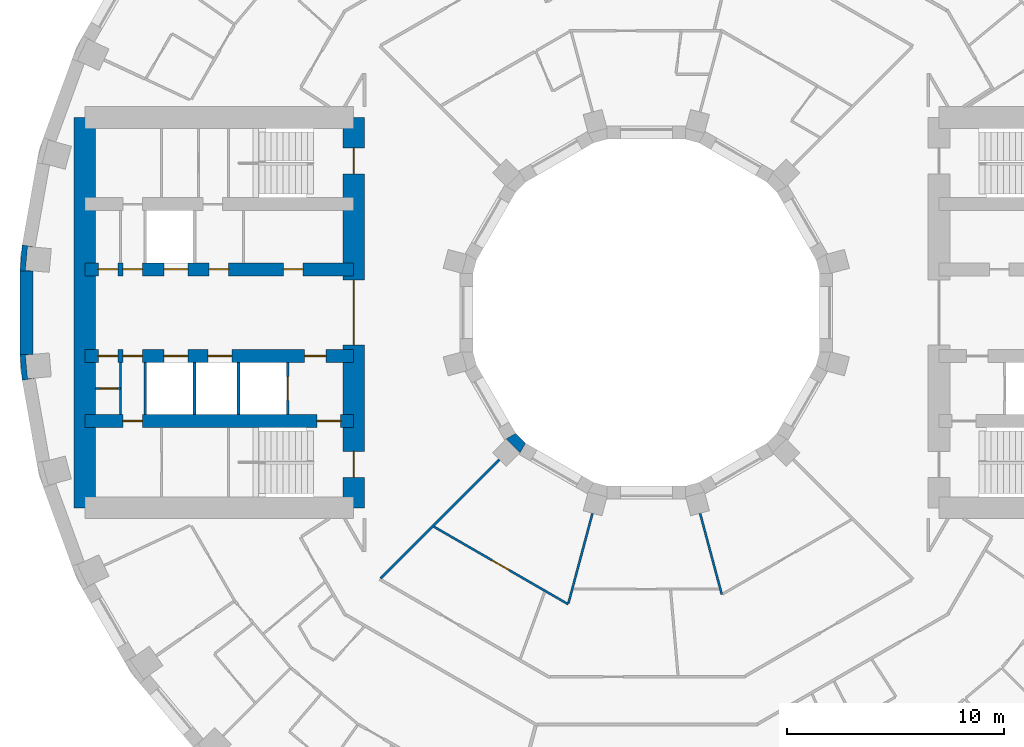
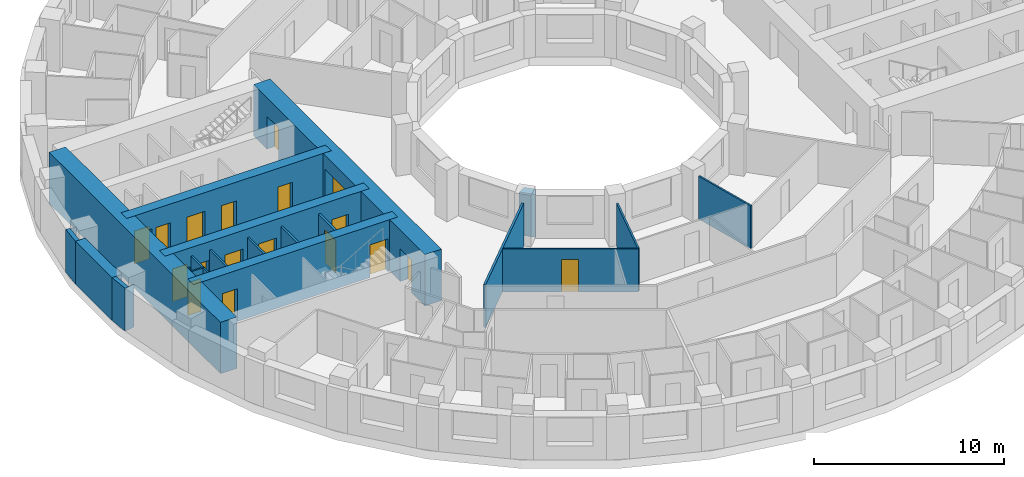
# One storey, part 4 of 14: 19 walls, 18 doors, 18 openings.
"""IFC4 building model written with IfcOpenShell, lengths in metres."""

from ifc_helpers import new_model, si_unit, direction, frame, frame_2d, origin, place, context, subcontext, project, spatial, polyline, rectangle, outline, extrude, material, layer, layer_set, type_object, element, fill, save


model = new_model("IFC4")

# Units and contexts
model_context = context("Model", 3, precision=1e-05, world=origin(), true_north=direction((0.0, 1.0)))
body_context = subcontext(model_context, "Body", "Model", "MODEL_VIEW")
ifc_project = project(units=[si_unit("LENGTHUNIT", "METRE"), si_unit("AREAUNIT", "SQUARE_METRE"), si_unit("VOLUMEUNIT", "CUBIC_METRE"), si_unit("PLANEANGLEUNIT", "RADIAN"), si_unit("MASSUNIT", "GRAM", prefix="KILO")], contexts=[model_context])

# Site, building, storey
site_placement = place(None, origin())
site = spatial("IfcSite", under=ifc_project, at=site_placement, CompositionType="ELEMENT")
building_placement = place(site_placement, origin())
building = spatial("IfcBuilding", under=site, at=building_placement, Name="Saqina Gate Tower", CompositionType="ELEMENT")
storey_placement = place(building_placement, frame((0.0, 0.0, 46.10009765625)))
storey = spatial("IfcBuildingStorey", under=building, at=storey_placement, Name="L12", CompositionType="ELEMENT", Elevation=46.10009765625)

# Walls
ifc_material_1 = material(Name="Brick masonry (red)", Category="masonry")
wall_type_1 = type_object("IfcWallType", Name="BRICK PIER COPING RED", PredefinedType="SOLIDWALL", material=ifc_material_1)
wall_1_placement = place(storey_placement, origin())
element("IfcWall", 1, at=wall_1_placement, inside=storey, type_object=wall_type_1, Name="Pier cap L12 column 18", PredefinedType="SOLIDWALL", context=body_context, shape_type="SweptSolid", body=[
    extrude(outline(polyline([(-28.78466796875, 3.122802734375), (-28.8896484375, 1.9228515625), (-28.28955078125, 1.9228515625), (-28.638671875, 1.95361328125), (-28.54296875, 3.04931640625), (-28.19384765625, 3.018798828125), (-28.78466796875, 3.122802734375)])), origin(), (0.0, 0.0, 1.0), 2.75),
])
wall_2_placement = place(storey_placement, origin())
element("IfcWall", 2, at=wall_2_placement, inside=storey, type_object=wall_type_1, Name="Pier cap L12 column 19", PredefinedType="SOLIDWALL", context=body_context, shape_type="SweptSolid", body=[
    extrude(outline(polyline([(-28.8896484375, -1.9228515625), (-28.78466796875, -3.122802734375), (-28.19384765625, -3.018798828125), (-28.54296875, -3.04931640625), (-28.638671875, -1.95361328125), (-28.28955078125, -1.9228515625), (-28.8896484375, -1.9228515625)])), origin(), (0.0, 0.0, 1.0), 2.75),
])
ifc_material_2 = material(Name="Gypsum board on steel studs", Category="steel")
ifc_layer_1 = layer(ifc_material_2, 0.10009765625)
ifc_layer_set_1 = layer_set([ifc_layer_1], Name="CORE PARTITION")
wall_type_2 = type_object("IfcWallType", Name="CORE PARTITION", PredefinedType="PARTITIONING", material=ifc_layer_set_1)
wall_3_placement = place(storey_placement, frame((-24.260009765625, -4.699951171875, 0.0), z_axis=(0.0, 0.0, 1.0), x_axis=(0.0, 1.0, 0.0)))
element("IfcWall", 3, at=wall_3_placement, inside=storey, type_object=wall_type_2, Name="L12-CP-W09", PredefinedType="PARTITIONING", context=body_context, shape_type="SweptSolid", body=[
    extrude(rectangle(XDim=2.39990234375, YDim=0.10009765625, at=frame_2d((1.199951171875, 0.0))), origin(), (0.0, 0.0, 1.0), 2.75),
])

# Wall, opening, door
wall_4_placement = place(storey_placement, frame((-24.260009765625, -3.5, 0.0), z_axis=(0.0, 0.0, 1.0), x_axis=(-1.0, 0.0, 0.0)))
wall_4 = element("IfcWall", 4, at=wall_4_placement, inside=storey, type_object=wall_type_2, Name="L12-CP-W10", PredefinedType="PARTITIONING", context=body_context, shape_type="SweptSolid", body=[
    extrude(rectangle(XDim=1.139892578125, YDim=0.10009765625, at=frame_2d((0.56982421875, 0.0))), origin(), (0.0, 0.0, 1.0), 2.75),
])
opening_1_placement = place(wall_4_placement, frame((0.14990234375, 0.0, 0.0)))
opening_1 = element("IfcOpeningElement", 5, at=opening_1_placement, cuts=wall_4, Name="Opening G03-D117", PredefinedType="OPENING", context=body_context, shape_type="SweptSolid", body=[
    extrude(rectangle(XDim=0.800048828125, YDim=2.10009765625, at=frame_2d((0.39990234375, 1.050048828125))), frame((0.0, 0.06201171875, 0.0), z_axis=(0.0, -1.0, 0.0), x_axis=(1.0, 0.0, 0.0)), (0.0, 0.0, 1.0), 0.1240234375),
])
ifc_material_3 = material(Name="Steel-framed fire door leaf, EI 60", Category="steel")
door_type_1 = type_object("IfcDoorType", Name="SERVICE ROOM DOOR 800", OperationType="SINGLE_SWING_LEFT", PredefinedType="DOOR", material=ifc_material_3)
door_1_placement = place(opening_1_placement, origin())
door_1 = element("IfcDoor", 6, at=door_1_placement, inside=storey, type_object=door_type_1, Name="L12-CD-W28", OperationType="SINGLE_SWING_RIGHT", OverallHeight=2.10009765625, OverallWidth=0.800048828125, PredefinedType="DOOR", context=body_context, shape_type="SweptSolid", body=[
    extrude(rectangle(XDim=0.800048828125, YDim=2.10009765625, at=frame_2d((0.39990234375, 1.050048828125))), frame((0.0, 0.02490234375, 0.0), z_axis=(0.0, -1.0, 0.0), x_axis=(1.0, 0.0, 0.0)), (0.0, 0.0, 1.0), 0.050048828125),
])
fill(opening_1, door_1)

# Walls
ifc_material_4 = material(Name="Glazed ceramic tile (dark blue)", Category="ceramic")
ifc_layer_2 = layer(ifc_material_4, 0.60009765625)
ifc_layer_set_2 = layer_set([ifc_layer_2], Name="FW-TILE-CB")
wall_type_3 = type_object("IfcWallType", Name="FW-TILE-CB", PredefinedType="SOLIDWALL", material=ifc_layer_set_2)
wall_5_placement = place(storey_placement, frame((-28.589599609375, 1.9228515625, 0.0), z_axis=(0.0, 0.0, 1.0), x_axis=(0.0, -1.0, 0.0)))
element("IfcWall", 7, at=wall_5_placement, inside=storey, type_object=wall_type_3, Name="Facade wall L12 facet 18", PredefinedType="SOLIDWALL", context=body_context, shape_type="SweptSolid", body=[
    extrude(rectangle(XDim=3.845703125, YDim=0.60009765625, at=frame_2d((1.9228515625, 0.0))), origin(), (0.0, 0.0, 1.0), 2.75),
])
ifc_material_5 = material(Name="Gypsum board on steel studs, 100 mm", Category="steel")
ifc_layer_3 = layer(ifc_material_5, 0.10009765625)
ifc_layer_set_3 = layer_set([ifc_layer_3], Name="PARTITION 100")
wall_type_4 = type_object("IfcWallType", Name="PARTITION 100", PredefinedType="PARTITIONING", material=ifc_layer_set_3)
wall_6_placement = place(storey_placement, frame((2.482666015625, -9.265380859375, 0.0), z_axis=(0.0, 0.0, 1.0), x_axis=(0.258711886123, -0.96595453308, 0.0)))
element("IfcWall", 8, at=wall_6_placement, inside=storey, type_object=wall_type_4, Name="PARTITION PW3-09", PredefinedType="PARTITIONING", context=body_context, shape_type="SweptSolid", body=[
    extrude(rectangle(XDim=3.8662109375, YDim=0.10009765625, at=frame_2d((1.93310546875, 0.0))), origin(), (0.0, 0.0, 1.0), 2.75),
])

# Wall, opening, door
wall_7_placement = place(storey_placement, frame((-9.7919921875, -9.877197265625, 0.0), z_axis=(0.0, 0.0, 1.0), x_axis=(0.866018300902, -0.500012302351, 0.0)))
wall_7 = element("IfcWall", 9, at=wall_7_placement, inside=storey, type_object=wall_type_4, Name="PARTITION PW3-47", PredefinedType="PARTITIONING", context=body_context, shape_type="SweptSolid", body=[
    extrude(rectangle(XDim=7.145263671875, YDim=0.10009765625, at=frame_2d((3.57275390625, 0.0))), origin(), (0.0, 0.0, 1.0), 2.75),
])
opening_2_placement = place(wall_7_placement, frame((3.09130859375, 0.0, 0.0)))
opening_2 = element("IfcOpeningElement", 10, at=opening_2_placement, cuts=wall_7, Name="Opening G03-D50", PredefinedType="OPENING", context=body_context, shape_type="SweptSolid", body=[
    extrude(rectangle(XDim=0.89990234375, YDim=2.10009765625, at=frame_2d((0.449951171875, 1.050048828125))), frame((0.0, 0.06201171875, 0.0), z_axis=(0.0, -1.0, 0.0), x_axis=(1.0, 0.0, 0.0)), (0.0, 0.0, 1.0), 0.1240234375),
])
ifc_material_6 = material(Name="Timber door leaf, 900 mm", Category="wood")
door_type_2 = type_object("IfcDoorType", Name="DOOR 900 TIMBER", OperationType="SINGLE_SWING_LEFT", PredefinedType="DOOR", material=ifc_material_6)
door_2_placement = place(opening_2_placement, origin())
door_2 = element("IfcDoor", 11, at=door_2_placement, inside=storey, type_object=door_type_2, Name="DOOR G03-D50", OperationType="SINGLE_SWING_LEFT", OverallHeight=2.10009765625, OverallWidth=0.89990234375, PredefinedType="DOOR", context=body_context, shape_type="SweptSolid", body=[
    extrude(rectangle(XDim=0.89990234375, YDim=2.10009765625, at=frame_2d((0.449951171875, 1.050048828125))), frame((0.0, 0.02490234375, 0.0), z_axis=(0.0, -1.0, 0.0), x_axis=(1.0, 0.0, 0.0)), (0.0, 0.0, 1.0), 0.050048828125),
])
fill(opening_2, door_2)

# Walls
wall_8_placement = place(storey_placement, frame((-3.591064453125, -13.401611328125, 0.0), z_axis=(0.0, 0.0, 1.0), x_axis=(0.258212632103, 0.966088110175, 0.0)))
element("IfcWall", 12, at=wall_8_placement, inside=storey, type_object=wall_type_4, Name="PARTITION PW3-118", PredefinedType="PARTITIONING", context=body_context, shape_type="SweptSolid", body=[
    extrude(rectangle(XDim=4.2822265625, YDim=0.10009765625, at=frame_2d((2.14111328125, 0.0))), origin(), (0.0, 0.0, 1.0), 2.75),
])
ifc_material_7 = material(Name="Gypsum board on steel studs, 125 mm, fire rated", Category="steel")
ifc_layer_4 = layer(ifc_material_7, 0.125)
ifc_layer_set_4 = layer_set([ifc_layer_4], Name="PARTITION EI 30 125")
wall_type_5 = type_object("IfcWallType", Name="PARTITION EI 30 125", PredefinedType="PARTITIONING", material=ifc_layer_set_4)
wall_9_placement = place(storey_placement, frame((-12.25390625, -12.25390625, 0.0), z_axis=(0.0, 0.0, 1.0), x_axis=(0.707106781187, 0.707106781187, 0.0)))
element("IfcWall", 13, at=wall_9_placement, inside=storey, type_object=wall_type_5, Name="PARTITION PW1-47", PredefinedType="PARTITIONING", context=body_context, shape_type="SweptSolid", body=[
    extrude(rectangle(XDim=7.737548828125, YDim=0.125, at=frame_2d((3.86865234375, 0.0))), origin(), (0.0, 0.0, 1.0), 2.75),
])

# Wall, opening, door
ifc_material_8 = material(Name="Autoclaved aerated concrete block", Category="concrete")
ifc_layer_5 = layer(ifc_material_8, 0.1201171875)
ifc_layer_set_5 = layer_set([ifc_layer_5], Name="SHAFT PARTITION")
wall_type_6 = type_object("IfcWallType", Name="SHAFT PARTITION", PredefinedType="PARTITIONING", material=ifc_layer_set_5)
wall_10_placement = place(storey_placement, frame((-16.530029296875, -4.699951171875, 0.0), z_axis=(0.0, 0.0, 1.0), x_axis=(0.0, 1.0, 0.0)))
wall_10 = element("IfcWall", 14, at=wall_10_placement, inside=storey, type_object=wall_type_6, Name="L12-CP-W05", PredefinedType="PARTITIONING", context=body_context, shape_type="SweptSolid", body=[
    extrude(rectangle(XDim=2.39990234375, YDim=0.1201171875, at=frame_2d((1.199951171875, 0.0))), origin(), (0.0, 0.0, 1.0), 2.75),
])
opening_3_placement = place(wall_10_placement, frame((0.64990234375, 0.0, 0.0)))
opening_3 = element("IfcOpeningElement", 15, at=opening_3_placement, cuts=wall_10, Name="Opening G03-LD6", PredefinedType="OPENING", context=body_context, shape_type="SweptSolid", body=[
    extrude(rectangle(XDim=1.10009765625, YDim=2.10009765625, at=frame_2d((0.550048828125, 1.050048828125))), frame((0.0, 0.072021484375, 0.0), z_axis=(0.0, -1.0, 0.0), x_axis=(1.0, 0.0, 0.0)), (0.0, 0.0, 1.0), 0.14404296875),
])
ifc_material_9 = material(Name="Stainless steel", Category="steel")
door_type_3 = type_object("IfcDoorType", Name="LANDING DOOR", OperationType="DOUBLE_DOOR_SLIDING", PredefinedType="DOOR", material=ifc_material_9)
door_3_placement = place(opening_3_placement, origin())
door_3 = element("IfcDoor", 16, at=door_3_placement, inside=storey, type_object=door_type_3, Name="LANDING DOOR FF2", OperationType="DOUBLE_DOOR_SLIDING", OverallHeight=2.10009765625, OverallWidth=1.10009765625, PredefinedType="DOOR", context=body_context, shape_type="SweptSolid", body=[
    extrude(rectangle(XDim=1.10009765625, YDim=2.10009765625, at=frame_2d((0.550048828125, 1.050048828125))), frame((0.0, 0.02490234375, 0.0), z_axis=(0.0, -1.0, 0.0), x_axis=(1.0, 0.0, 0.0)), (0.0, 0.0, 1.0), 0.050048828125),
])
fill(opening_3, door_3)

# Walls
for number, where, z_axis, x_axis, name in (
    (17, (-18.81005859375, -4.699951171875, 0.0), (0.0, 0.0, 1.0), (0.0, 1.0, 0.0), "L12-CP-W06"),
    (18, (-20.840087890625, -4.699951171875, 0.0), (0.0, 0.0, 1.0), (0.0, 1.0, 0.0), "L12-CP-W07"),
    (19, (-23.1201171875, -4.699951171875, 0.0), (0.0, 0.0, 1.0), (0.0, 1.0, 0.0), "L12-CP-W08"),
):
    element("IfcWall", number, at=place(storey_placement, frame(where, z_axis=z_axis, x_axis=x_axis)), inside=storey, type_object=wall_type_6, Name=name, PredefinedType="PARTITIONING", context=body_context, shape_type="SweptSolid", body=[
        extrude(rectangle(XDim=2.39990234375, YDim=0.1201171875, at=frame_2d((1.199951171875, 0.0))), origin(), (0.0, 0.0, 1.0), 2.75),
    ])

# Wall, openings, doors
ifc_material_10 = material(Name="Concrete C70/85", Category="concrete")
ifc_layer_6 = layer(ifc_material_10, 0.60009765625)
ifc_layer_set_6 = layer_set([ifc_layer_6], Name="Concrete C70/85")
wall_type_7 = type_object("IfcWallType", Name="STR-CORE WALL-A-I", PredefinedType="SHEAR", material=ifc_layer_set_6)
wall_11_placement = place(storey_placement, frame((-13.5, -5.0, 0.0), z_axis=(0.0, 0.0, 1.0), x_axis=(-1.0, 0.0, 0.0)))
wall_11 = element("IfcWall", 20, at=wall_11_placement, inside=storey, type_object=wall_type_7, Name="CORE WALL L12 W-X2", PredefinedType="SHEAR", context=body_context, shape_type="SweptSolid", body=[
    extrude(rectangle(XDim=12.39990234375, YDim=0.60009765625, at=frame_2d((6.199951171875, 0.0))), origin(), (0.0, 0.0, 1.0), 3.2998046875),
])
opening_4_placement = place(wall_11_placement, frame((9.739990234375, 0.0, 0.0)))
opening_4 = element("IfcOpeningElement", 21, at=opening_4_placement, cuts=wall_11, Name="Opening G03-D119", PredefinedType="OPENING", context=body_context, shape_type="SweptSolid", body=[
    extrude(rectangle(XDim=0.89990234375, YDim=2.10009765625, at=frame_2d((0.449951171875, 1.050048828125))), frame((0.0, 0.31201171875, 0.0), z_axis=(0.0, -1.0, 0.0), x_axis=(1.0, 0.0, 0.0)), (0.0, 0.0, 1.0), 0.6240234375),
])
opening_5_placement = place(wall_11_placement, frame((0.60009765625, 0.0, 0.0)))
opening_5 = element("IfcOpeningElement", 22, at=opening_5_placement, cuts=wall_11, Name="Opening G03-D120", PredefinedType="OPENING", context=body_context, shape_type="SweptSolid", body=[
    extrude(rectangle(XDim=1.10009765625, YDim=2.10009765625, at=frame_2d((0.550048828125, 1.050048828125))), frame((0.0, 0.31201171875, 0.0), z_axis=(0.0, -1.0, 0.0), x_axis=(1.0, 0.0, 0.0)), (0.0, 0.0, 1.0), 0.6240234375),
])
ifc_material_11 = material(Name="Steel", Category="steel")
door_type_4 = type_object("IfcDoorType", Name="FIRE LOBBY DOOR EI 60 WIDE", OperationType="SINGLE_SWING_LEFT", PredefinedType="DOOR", material=ifc_material_11)
door_4_placement = place(opening_5_placement, origin())
door_4 = element("IfcDoor", 23, at=door_4_placement, inside=storey, type_object=door_type_4, Name="L12-CD-W31", OperationType="SINGLE_SWING_LEFT", OverallHeight=2.10009765625, OverallWidth=1.10009765625, PredefinedType="DOOR", context=body_context, shape_type="SweptSolid", body=[
    extrude(rectangle(XDim=1.10009765625, YDim=2.10009765625, at=frame_2d((0.550048828125, 1.050048828125))), frame((0.0, 0.02490234375, 0.0), z_axis=(0.0, -1.0, 0.0), x_axis=(1.0, 0.0, 0.0)), (0.0, 0.0, 1.0), 0.050048828125),
])
fill(opening_5, door_4)
ifc_material_12 = material(Name="Steel-framed fire door leaf, EI 60", Category="steel")
door_type_5 = type_object("IfcDoorType", Name="SERVICE ROOM DOOR 900", OperationType="SINGLE_SWING_LEFT", PredefinedType="DOOR", material=ifc_material_12)
door_5_placement = place(opening_4_placement, origin())
door_5 = element("IfcDoor", 24, at=door_5_placement, inside=storey, type_object=door_type_5, Name="L12-CD-W30", OperationType="SINGLE_SWING_RIGHT", OverallHeight=2.10009765625, OverallWidth=0.89990234375, PredefinedType="DOOR", context=body_context, shape_type="SweptSolid", body=[
    extrude(rectangle(XDim=0.89990234375, YDim=2.10009765625, at=frame_2d((0.449951171875, 1.050048828125))), frame((0.0, 0.02490234375, 0.0), z_axis=(0.0, -1.0, 0.0), x_axis=(1.0, 0.0, 0.0)), (0.0, 0.0, 1.0), 0.050048828125),
])
fill(opening_4, door_5)

wall_12_placement = place(storey_placement, frame((-13.5, 2.0, 0.0), z_axis=(0.0, 0.0, 1.0), x_axis=(-1.0, 0.0, 0.0)))
wall_12 = element("IfcWall", 25, at=wall_12_placement, inside=storey, type_object=wall_type_7, Name="CORE WALL L12 W-L1", PredefinedType="SHEAR", context=body_context, shape_type="SweptSolid", body=[
    extrude(rectangle(XDim=12.39990234375, YDim=0.60009765625, at=frame_2d((6.199951171875, 0.0))), origin(), (0.0, 0.0, 1.0), 3.2998046875),
])
opening_6_placement = place(wall_12_placement, frame((7.64990234375, 0.0, 0.0)))
opening_6 = element("IfcOpeningElement", 26, at=opening_6_placement, cuts=wall_12, Name="Opening G03-LD5", PredefinedType="OPENING", context=body_context, shape_type="SweptSolid", body=[
    extrude(rectangle(XDim=1.10009765625, YDim=2.10009765625, at=frame_2d((0.550048828125, 1.050048828125))), frame((0.0, 0.31201171875, 0.0), z_axis=(0.0, -1.0, 0.0), x_axis=(1.0, 0.0, 0.0)), (0.0, 0.0, 1.0), 0.6240234375),
])
opening_7_placement = place(wall_12_placement, frame((2.34130859375, 0.0, 0.0)))
opening_7 = element("IfcOpeningElement", 27, at=opening_7_placement, cuts=wall_12, Name="Opening G03-D107", PredefinedType="OPENING", context=body_context, shape_type="SweptSolid", body=[
    extrude(rectangle(XDim=0.89990234375, YDim=2.10009765625, at=frame_2d((0.449951171875, 1.050048828125))), frame((0.0, 0.31201171875, 0.0), z_axis=(0.0, -1.0, 0.0), x_axis=(1.0, 0.0, 0.0)), (0.0, 0.0, 1.0), 0.6240234375),
])
opening_8_placement = place(wall_12_placement, frame((5.761474609375, 0.0, 0.0)))
opening_8 = element("IfcOpeningElement", 28, at=opening_8_placement, cuts=wall_12, Name="Opening G03-D108", PredefinedType="OPENING", context=body_context, shape_type="SweptSolid", body=[
    extrude(rectangle(XDim=0.89990234375, YDim=2.10009765625, at=frame_2d((0.449951171875, 1.050048828125))), frame((0.0, 0.31201171875, 0.0), z_axis=(0.0, -1.0, 0.0), x_axis=(1.0, 0.0, 0.0)), (0.0, 0.0, 1.0), 0.6240234375),
])
opening_9_placement = place(wall_12_placement, frame((9.739990234375, 0.0, 0.0)))
opening_9 = element("IfcOpeningElement", 29, at=opening_9_placement, cuts=wall_12, Name="Opening G03-D109", PredefinedType="OPENING", context=body_context, shape_type="SweptSolid", body=[
    extrude(rectangle(XDim=0.89990234375, YDim=2.10009765625, at=frame_2d((0.449951171875, 1.050048828125))), frame((0.0, 0.31201171875, 0.0), z_axis=(0.0, -1.0, 0.0), x_axis=(1.0, 0.0, 0.0)), (0.0, 0.0, 1.0), 0.6240234375),
])
opening_10_placement = place(wall_12_placement, frame((10.8798828125, 0.0, 0.0)))
opening_10 = element("IfcOpeningElement", 30, at=opening_10_placement, cuts=wall_12, Name="Opening G03-D110", PredefinedType="OPENING", context=body_context, shape_type="SweptSolid", body=[
    extrude(rectangle(XDim=0.89990234375, YDim=2.10009765625, at=frame_2d((0.449951171875, 1.050048828125))), frame((0.0, 0.31201171875, 0.0), z_axis=(0.0, -1.0, 0.0), x_axis=(1.0, 0.0, 0.0)), (0.0, 0.0, 1.0), 0.6240234375),
])
door_6_placement = place(opening_6_placement, origin())
door_6 = element("IfcDoor", 31, at=door_6_placement, inside=storey, type_object=door_type_3, Name="LANDING DOOR LR4", OperationType="DOUBLE_DOOR_SLIDING", OverallHeight=2.10009765625, OverallWidth=1.10009765625, PredefinedType="DOOR", context=body_context, shape_type="SweptSolid", body=[
    extrude(rectangle(XDim=1.10009765625, YDim=2.10009765625, at=frame_2d((0.550048828125, 1.050048828125))), frame((0.0, 0.02490234375, 0.0), z_axis=(0.0, -1.0, 0.0), x_axis=(1.0, 0.0, 0.0)), (0.0, 0.0, 1.0), 0.050048828125),
])
fill(opening_6, door_6)
door_7_placement = place(opening_7_placement, frame((0.89990234375, 0.0, 0.0), z_axis=(0.0, 0.0, 1.0), x_axis=(-1.0, 0.0, 0.0)))
door_7 = element("IfcDoor", 32, at=door_7_placement, inside=storey, type_object=door_type_5, Name="L12-CD-W18", OperationType="SINGLE_SWING_RIGHT", OverallHeight=2.10009765625, OverallWidth=0.89990234375, PredefinedType="DOOR", context=body_context, shape_type="SweptSolid", body=[
    extrude(rectangle(XDim=0.89990234375, YDim=2.10009765625, at=frame_2d((0.449951171875, 1.050048828125))), frame((0.0, 0.02490234375, 0.0), z_axis=(0.0, -1.0, 0.0), x_axis=(1.0, 0.0, 0.0)), (0.0, 0.0, 1.0), 0.050048828125),
])
fill(opening_7, door_7)
door_8_placement = place(opening_8_placement, frame((0.89990234375, 0.0, 0.0), z_axis=(0.0, 0.0, 1.0), x_axis=(-1.0, 0.0, 0.0)))
door_8 = element("IfcDoor", 33, at=door_8_placement, inside=storey, type_object=door_type_5, Name="L12-CD-W19", OperationType="SINGLE_SWING_LEFT", OverallHeight=2.10009765625, OverallWidth=0.89990234375, PredefinedType="DOOR", context=body_context, shape_type="SweptSolid", body=[
    extrude(rectangle(XDim=0.89990234375, YDim=2.10009765625, at=frame_2d((0.449951171875, 1.050048828125))), frame((0.0, 0.02490234375, 0.0), z_axis=(0.0, -1.0, 0.0), x_axis=(1.0, 0.0, 0.0)), (0.0, 0.0, 1.0), 0.050048828125),
])
fill(opening_8, door_8)
door_9_placement = place(opening_9_placement, frame((0.89990234375, 0.0, 0.0), z_axis=(0.0, 0.0, 1.0), x_axis=(-1.0, 0.0, 0.0)))
door_9 = element("IfcDoor", 34, at=door_9_placement, inside=storey, type_object=door_type_5, Name="L12-CD-W20", OperationType="SINGLE_SWING_RIGHT", OverallHeight=2.10009765625, OverallWidth=0.89990234375, PredefinedType="DOOR", context=body_context, shape_type="SweptSolid", body=[
    extrude(rectangle(XDim=0.89990234375, YDim=2.10009765625, at=frame_2d((0.449951171875, 1.050048828125))), frame((0.0, 0.02490234375, 0.0), z_axis=(0.0, -1.0, 0.0), x_axis=(1.0, 0.0, 0.0)), (0.0, 0.0, 1.0), 0.050048828125),
])
fill(opening_9, door_9)
door_10_placement = place(opening_10_placement, frame((0.89990234375, 0.0, 0.0), z_axis=(0.0, 0.0, 1.0), x_axis=(-1.0, 0.0, 0.0)))
door_10 = element("IfcDoor", 35, at=door_10_placement, inside=storey, type_object=door_type_5, Name="L12-CD-W21", OperationType="SINGLE_SWING_LEFT", OverallHeight=2.10009765625, OverallWidth=0.89990234375, PredefinedType="DOOR", context=body_context, shape_type="SweptSolid", body=[
    extrude(rectangle(XDim=0.89990234375, YDim=2.10009765625, at=frame_2d((0.449951171875, 1.050048828125))), frame((0.0, 0.02490234375, 0.0), z_axis=(0.0, -1.0, 0.0), x_axis=(1.0, 0.0, 0.0)), (0.0, 0.0, 1.0), 0.050048828125),
])
fill(opening_10, door_10)

wall_13_placement = place(storey_placement, frame((-13.5, -2.0, 0.0), z_axis=(0.0, 0.0, 1.0), x_axis=(-1.0, 0.0, 0.0)))
wall_13 = element("IfcWall", 36, at=wall_13_placement, inside=storey, type_object=wall_type_7, Name="CORE WALL L12 W-L2", PredefinedType="SHEAR", context=body_context, shape_type="SweptSolid", body=[
    extrude(rectangle(XDim=12.39990234375, YDim=0.60009765625, at=frame_2d((6.199951171875, 0.0))), origin(), (0.0, 0.0, 1.0), 3.2998046875),
])
opening_11_placement = place(wall_13_placement, frame((5.6201171875, 0.0, 0.0)))
opening_11 = element("IfcOpeningElement", 37, at=opening_11_placement, cuts=wall_13, Name="Opening G03-LD7", PredefinedType="OPENING", context=body_context, shape_type="SweptSolid", body=[
    extrude(rectangle(XDim=1.10009765625, YDim=2.10009765625, at=frame_2d((0.550048828125, 1.050048828125))), frame((0.0, 0.31201171875, 0.0), z_axis=(0.0, -1.0, 0.0), x_axis=(1.0, 0.0, 0.0)), (0.0, 0.0, 1.0), 0.6240234375),
])
opening_12_placement = place(wall_13_placement, frame((7.64990234375, 0.0, 0.0)))
opening_12 = element("IfcOpeningElement", 38, at=opening_12_placement, cuts=wall_13, Name="Opening G03-LD8", PredefinedType="OPENING", context=body_context, shape_type="SweptSolid", body=[
    extrude(rectangle(XDim=1.10009765625, YDim=2.10009765625, at=frame_2d((0.550048828125, 1.050048828125))), frame((0.0, 0.31201171875, 0.0), z_axis=(0.0, -1.0, 0.0), x_axis=(1.0, 0.0, 0.0)), (0.0, 0.0, 1.0), 0.6240234375),
])
opening_13_placement = place(wall_13_placement, frame((1.264892578125, 0.0, 0.0)))
opening_13 = element("IfcOpeningElement", 39, at=opening_13_placement, cuts=wall_13, Name="Opening G03-D111", PredefinedType="OPENING", context=body_context, shape_type="SweptSolid", body=[
    extrude(rectangle(XDim=1.0, YDim=2.10009765625, at=frame_2d((0.5, 1.050048828125))), frame((0.0, 0.31201171875, 0.0), z_axis=(0.0, -1.0, 0.0), x_axis=(1.0, 0.0, 0.0)), (0.0, 0.0, 1.0), 0.6240234375),
])
opening_14_placement = place(wall_13_placement, frame((9.739990234375, 0.0, 0.0)))
opening_14 = element("IfcOpeningElement", 40, at=opening_14_placement, cuts=wall_13, Name="Opening G03-D112", PredefinedType="OPENING", context=body_context, shape_type="SweptSolid", body=[
    extrude(rectangle(XDim=0.89990234375, YDim=2.10009765625, at=frame_2d((0.449951171875, 1.050048828125))), frame((0.0, 0.31201171875, 0.0), z_axis=(0.0, -1.0, 0.0), x_axis=(1.0, 0.0, 0.0)), (0.0, 0.0, 1.0), 0.6240234375),
])
opening_15_placement = place(wall_13_placement, frame((10.8798828125, 0.0, 0.0)))
opening_15 = element("IfcOpeningElement", 41, at=opening_15_placement, cuts=wall_13, Name="Opening G03-D113", PredefinedType="OPENING", context=body_context, shape_type="SweptSolid", body=[
    extrude(rectangle(XDim=0.89990234375, YDim=2.10009765625, at=frame_2d((0.449951171875, 1.050048828125))), frame((0.0, 0.31201171875, 0.0), z_axis=(0.0, -1.0, 0.0), x_axis=(1.0, 0.0, 0.0)), (0.0, 0.0, 1.0), 0.6240234375),
])
ifc_material_13 = material(Name="Steel", Category="steel")
door_type_6 = type_object("IfcDoorType", Name="FIRE LOBBY DOOR EI 60", OperationType="SINGLE_SWING_LEFT", PredefinedType="DOOR", material=ifc_material_13)
door_11_placement = place(opening_13_placement, frame((1.0, 0.0, 0.0), z_axis=(0.0, 0.0, 1.0), x_axis=(-1.0, 0.0, 0.0)))
door_11 = element("IfcDoor", 42, at=door_11_placement, inside=storey, type_object=door_type_6, Name="L12-CD-W22", OperationType="SINGLE_SWING_RIGHT", OverallHeight=2.10009765625, OverallWidth=1.0, PredefinedType="DOOR", context=body_context, shape_type="SweptSolid", body=[
    extrude(rectangle(XDim=1.0, YDim=2.10009765625, at=frame_2d((0.5, 1.050048828125))), frame((0.0, 0.02490234375, 0.0), z_axis=(0.0, -1.0, 0.0), x_axis=(1.0, 0.0, 0.0)), (0.0, 0.0, 1.0), 0.050048828125),
])
fill(opening_13, door_11)
door_12_placement = place(opening_11_placement, origin())
door_12 = element("IfcDoor", 43, at=door_12_placement, inside=storey, type_object=door_type_3, Name="LANDING DOOR LR6", OperationType="DOUBLE_DOOR_SLIDING", OverallHeight=2.10009765625, OverallWidth=1.10009765625, PredefinedType="DOOR", context=body_context, shape_type="SweptSolid", body=[
    extrude(rectangle(XDim=1.10009765625, YDim=2.10009765625, at=frame_2d((0.550048828125, 1.050048828125))), frame((0.0, 0.02490234375, 0.0), z_axis=(0.0, -1.0, 0.0), x_axis=(1.0, 0.0, 0.0)), (0.0, 0.0, 1.0), 0.050048828125),
])
fill(opening_11, door_12)
door_13_placement = place(opening_12_placement, origin())
door_13 = element("IfcDoor", 44, at=door_13_placement, inside=storey, type_object=door_type_3, Name="LANDING DOOR LR5", OperationType="DOUBLE_DOOR_SLIDING", OverallHeight=2.10009765625, OverallWidth=1.10009765625, PredefinedType="DOOR", context=body_context, shape_type="SweptSolid", body=[
    extrude(rectangle(XDim=1.10009765625, YDim=2.10009765625, at=frame_2d((0.550048828125, 1.050048828125))), frame((0.0, 0.02490234375, 0.0), z_axis=(0.0, -1.0, 0.0), x_axis=(1.0, 0.0, 0.0)), (0.0, 0.0, 1.0), 0.050048828125),
])
fill(opening_12, door_13)
door_14_placement = place(opening_14_placement, origin())
door_14 = element("IfcDoor", 45, at=door_14_placement, inside=storey, type_object=door_type_5, Name="L12-CD-W23", OperationType="SINGLE_SWING_LEFT", OverallHeight=2.10009765625, OverallWidth=0.89990234375, PredefinedType="DOOR", context=body_context, shape_type="SweptSolid", body=[
    extrude(rectangle(XDim=0.89990234375, YDim=2.10009765625, at=frame_2d((0.449951171875, 1.050048828125))), frame((0.0, 0.02490234375, 0.0), z_axis=(0.0, -1.0, 0.0), x_axis=(1.0, 0.0, 0.0)), (0.0, 0.0, 1.0), 0.050048828125),
])
fill(opening_14, door_14)
door_15_placement = place(opening_15_placement, origin())
door_15 = element("IfcDoor", 46, at=door_15_placement, inside=storey, type_object=door_type_5, Name="L12-CD-W24", OperationType="SINGLE_SWING_RIGHT", OverallHeight=2.10009765625, OverallWidth=0.89990234375, PredefinedType="DOOR", context=body_context, shape_type="SweptSolid", body=[
    extrude(rectangle(XDim=0.89990234375, YDim=2.10009765625, at=frame_2d((0.449951171875, 1.050048828125))), frame((0.0, 0.02490234375, 0.0), z_axis=(0.0, -1.0, 0.0), x_axis=(1.0, 0.0, 0.0)), (0.0, 0.0, 1.0), 0.050048828125),
])
fill(opening_15, door_15)

ifc_material_14 = material(Name="Concrete C70/85", Category="concrete")
ifc_layer_7 = layer(ifc_material_14, 1.0)
ifc_layer_set_7 = layer_set([ifc_layer_7], Name="Concrete C70/85")
wall_type_8 = type_object("IfcWallType", Name="STR-CORE WALL-A-O", PredefinedType="SHEAR", material=ifc_layer_set_7)
wall_14_placement = place(storey_placement, frame((-13.5, -9.0, 0.0), z_axis=(0.0, 0.0, 1.0), x_axis=(0.0, 1.0, 0.0)))
wall_14 = element("IfcWall", 47, at=wall_14_placement, inside=storey, type_object=wall_type_8, Name="CORE WALL L12 W-W1", PredefinedType="SHEAR", context=body_context, shape_type="SweptSolid", body=[
    extrude(rectangle(XDim=18.0, YDim=1.0, at=frame_2d((9.0, 0.0))), origin(), (0.0, 0.0, 1.0), 3.2998046875),
])
opening_16_placement = place(wall_14_placement, frame((15.39990234375, 0.0, 0.0)))
opening_16 = element("IfcOpeningElement", 48, at=opening_16_placement, cuts=wall_14, Name="Opening G03-D121", PredefinedType="OPENING", context=body_context, shape_type="SweptSolid", body=[
    extrude(rectangle(XDim=1.199951171875, YDim=2.10009765625, at=frame_2d((0.60009765625, 1.050048828125))), frame((0.0, 0.511962890625, 0.0), z_axis=(0.0, -1.0, 0.0), x_axis=(1.0, 0.0, 0.0)), (0.0, 0.0, 1.0), 1.02392578125),
])
opening_17_placement = place(wall_14_placement, frame((1.39990234375, 0.0, 0.0)))
opening_17 = element("IfcOpeningElement", 49, at=opening_17_placement, cuts=wall_14, Name="Opening G03-D122", PredefinedType="OPENING", context=body_context, shape_type="SweptSolid", body=[
    extrude(rectangle(XDim=1.199951171875, YDim=2.10009765625, at=frame_2d((0.60009765625, 1.050048828125))), frame((0.0, 0.511962890625, 0.0), z_axis=(0.0, -1.0, 0.0), x_axis=(1.0, 0.0, 0.0)), (0.0, 0.0, 1.0), 1.02392578125),
])
opening_18_placement = place(wall_14_placement, frame((7.5, 0.0, 0.0)))
opening_18 = element("IfcOpeningElement", 50, at=opening_18_placement, cuts=wall_14, Name="Opening G03-D123", PredefinedType="OPENING", context=body_context, shape_type="SweptSolid", body=[
    extrude(rectangle(XDim=3.0, YDim=2.39990234375, at=frame_2d((1.5, 1.199951171875))), frame((0.0, 0.511962890625, 0.0), z_axis=(0.0, -1.0, 0.0), x_axis=(1.0, 0.0, 0.0)), (0.0, 0.0, 1.0), 1.02392578125),
])
ifc_material_15 = material(Name="Steel", Category="steel")
door_type_7 = type_object("IfcDoorType", Name="FIRE DOOR EI 60", OperationType="SINGLE_SWING_LEFT", PredefinedType="DOOR", material=ifc_material_15)
door_16_placement = place(opening_16_placement, origin())
door_16 = element("IfcDoor", 51, at=door_16_placement, inside=storey, type_object=door_type_7, Name="L12-CD-W32", OperationType="SINGLE_SWING_RIGHT", OverallHeight=2.10009765625, OverallWidth=1.199951171875, PredefinedType="DOOR", context=body_context, shape_type="SweptSolid", body=[
    extrude(rectangle(XDim=1.199951171875, YDim=2.10009765625, at=frame_2d((0.60009765625, 1.050048828125))), frame((0.0, 0.02490234375, 0.0), z_axis=(0.0, -1.0, 0.0), x_axis=(1.0, 0.0, 0.0)), (0.0, 0.0, 1.0), 0.050048828125),
])
fill(opening_16, door_16)
door_17_placement = place(opening_17_placement, origin())
door_17 = element("IfcDoor", 52, at=door_17_placement, inside=storey, type_object=door_type_7, Name="L12-CD-W33", OperationType="SINGLE_SWING_LEFT", OverallHeight=2.10009765625, OverallWidth=1.199951171875, PredefinedType="DOOR", context=body_context, shape_type="SweptSolid", body=[
    extrude(rectangle(XDim=1.199951171875, YDim=2.10009765625, at=frame_2d((0.60009765625, 1.050048828125))), frame((0.0, 0.02490234375, 0.0), z_axis=(0.0, -1.0, 0.0), x_axis=(1.0, 0.0, 0.0)), (0.0, 0.0, 1.0), 0.050048828125),
])
fill(opening_17, door_17)
ifc_material_16 = material(Name="Steel and fire-resisting glass", Category="steel")
door_type_8 = type_object("IfcDoorType", Name="LOBBY SCREEN DOOR", OperationType="DOUBLE_DOOR_SLIDING", PredefinedType="DOOR", material=ifc_material_16)
door_18_placement = place(opening_18_placement, origin())
door_18 = element("IfcDoor", 53, at=door_18_placement, inside=storey, type_object=door_type_8, Name="L12-CD-W34", OperationType="DOUBLE_DOOR_SLIDING", OverallHeight=2.39990234375, OverallWidth=3.0, PredefinedType="DOOR", context=body_context, shape_type="SweptSolid", body=[
    extrude(rectangle(XDim=3.0, YDim=2.39990234375, at=frame_2d((1.5, 1.199951171875))), frame((0.0, 0.02490234375, 0.0), z_axis=(0.0, -1.0, 0.0), x_axis=(1.0, 0.0, 0.0)), (0.0, 0.0, 1.0), 0.050048828125),
])
fill(opening_18, door_18)

# Walls
wall_15_placement = place(storey_placement, frame((-25.89990234375, -9.0, 0.0), z_axis=(0.0, 0.0, 1.0), x_axis=(0.0, 1.0, 0.0)))
element("IfcWall", 54, at=wall_15_placement, inside=storey, type_object=wall_type_8, Name="CORE WALL L12 W-W2", PredefinedType="SHEAR", context=body_context, shape_type="SweptSolid", body=[
    extrude(rectangle(XDim=18.0, YDim=1.0, at=frame_2d((9.0, 0.0))), origin(), (0.0, 0.0, 1.0), 3.2998046875),
])
ifc_material_17 = material(Name="Glazed ceramic tile", Category="ceramic")
wall_type_9 = type_object("IfcWallType", Name="TILE PIER COPING", PredefinedType="SOLIDWALL", material=ifc_material_17)
wall_16_placement = place(storey_placement, origin())
element("IfcWall", 55, at=wall_16_placement, inside=storey, type_object=wall_type_9, Name="Well pier cap L12 column 8", PredefinedType="SOLIDWALL", context=body_context, shape_type="SweptSolid", body=[
    extrude(outline(polyline([(-6.45751953125, -5.821044921875), (-5.821044921875, -6.45751953125), (-5.569580078125, -6.02197265625), (-6.02197265625, -5.569580078125), (-6.45751953125, -5.821044921875)])), origin(), (0.0, 0.0, 1.0), 2.75),
])

save(model, "model.ifc")
